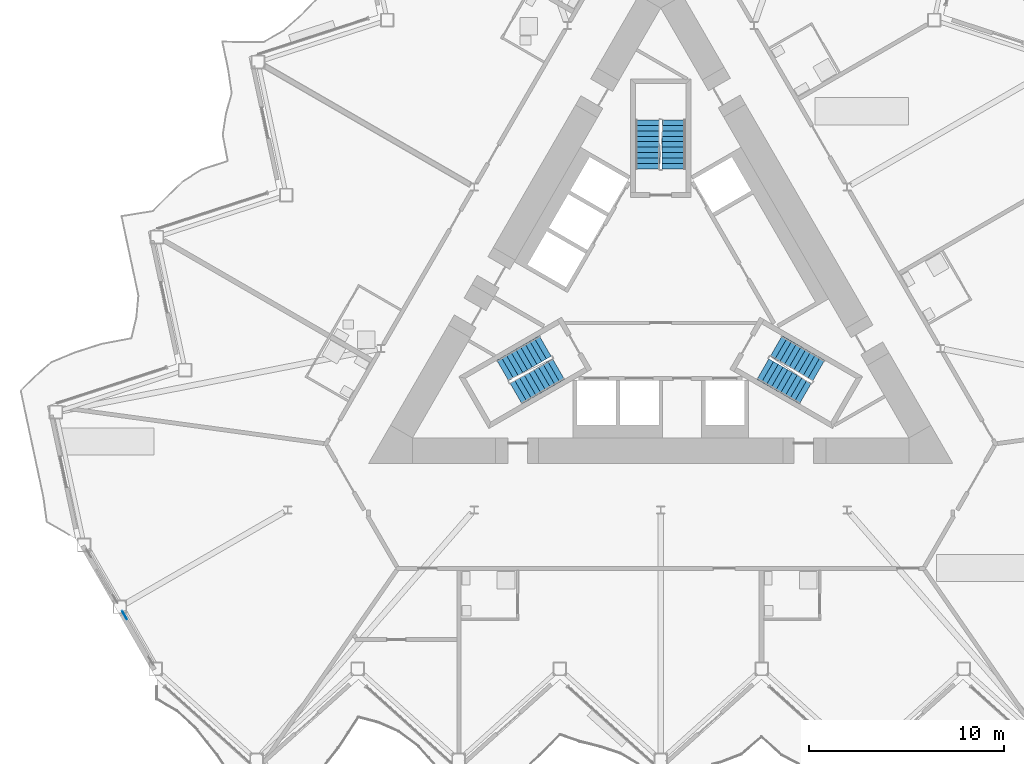
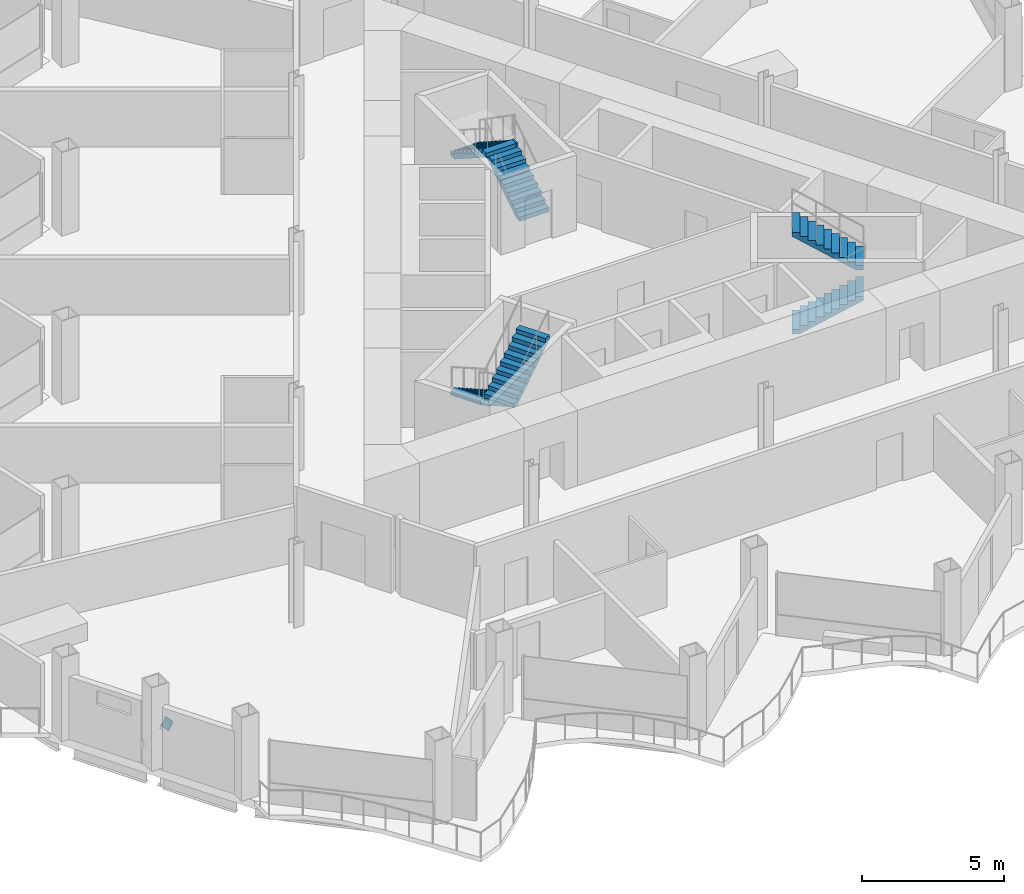
# One storey, part 15 of 23: 6 stair flights, 1 discrete accessory, 3 elements without a shape of their own.
"""IFC4 building model written with IfcOpenShell, lengths in metres."""

from ifc_helpers import new_model, si_unit, direction, frame, origin, origin_2d, place, context, subcontext, project, spatial, polyline, rectangle, outline, extrude, material, material_profile, profile_set, type_object, element, aggregate, save


model = new_model("IFC4")

# Units and contexts
model_context = context("Model", 3, precision=1e-05, world=origin(), true_north=direction((0.0, 1.0)))
body_context = subcontext(model_context, "Body", "Model", "MODEL_VIEW")
ifc_project = project(units=[si_unit("LENGTHUNIT", "METRE"), si_unit("AREAUNIT", "SQUARE_METRE"), si_unit("VOLUMEUNIT", "CUBIC_METRE"), si_unit("PLANEANGLEUNIT", "RADIAN"), si_unit("MASSUNIT", "GRAM", prefix="KILO")], contexts=[model_context])

# Site, building, storey
site_placement = place(None, origin())
site = spatial("IfcSite", under=ifc_project, at=site_placement, CompositionType="ELEMENT")
building_placement = place(site_placement, origin())
building = spatial("IfcBuilding", under=site, at=building_placement, Name="Cormorant Prow Tower", CompositionType="ELEMENT")
storey_placement = place(building_placement, frame((0.0, 0.0, 245.39990234375)))
storey = spatial("IfcBuildingStorey", under=building, at=storey_placement, Name="L54", CompositionType="ELEMENT", Elevation=245.39990234375)

# Stair, stair flights
ifc_material_1 = material(Name="Exit stair 20 risers")
stair_type = type_object("IfcStairType", Name="Exit stair 20 risers", PredefinedType="HALF_TURN_STAIR", material=ifc_material_1)
stair_1_placement = place(storey_placement, origin())
stair_1 = element("IfcStair", 1, at=stair_1_placement, inside=storey, type_object=stair_type, Name="L54 Exit stair ST1", PredefinedType="HALF_TURN_STAIR")
ifc_material_2 = material(Name="Concrete 5000 psi", Category="concrete")
stair_flight_type = type_object("IfcStairFlightType", Name="Stair flight 1219", PredefinedType="STRAIGHT", material=ifc_material_2)
stair_flight_1_placement = place(storey_placement, frame((-5.93310546875, -2.635009765625, 0.0), z_axis=(0.0, 0.0, 1.0), x_axis=(-0.866025403784, -0.5, 0.0)))
stair_flight_1 = element("IfcStairFlight", 2, at=stair_flight_1_placement, type_object=stair_flight_type, Name="ST1 flight 1", NumberOfRisers=10, NumberOfTreads=9, PredefinedType="STRAIGHT", RiserHeight=0.18, TreadLength=0.28, context=body_context, shape_type="SweptSolid", body=[
    extrude(outline(polyline([(0.0, 0.0), (0.0, 0.179931640625), (0.280029296875, 0.179931640625), (0.280029296875, 0.360107421875), (0.56005859375, 0.360107421875), (0.56005859375, 0.5400390625), (0.840087890625, 0.5400390625), (0.840087890625, 0.719970703125), (1.1201171875, 0.719970703125), (1.1201171875, 0.89990234375), (1.39990234375, 0.89990234375), (1.39990234375, 1.080078125), (1.679931640625, 1.080078125), (1.679931640625, 1.260009765625), (1.9599609375, 1.260009765625), (1.9599609375, 1.43994140625), (2.239990234375, 1.43994140625), (2.239990234375, 1.6201171875), (2.52001953125, 1.6201171875), (2.52001953125, 1.800048828125), (2.52001953125, 1.44189453125), (0.277099609375, 0.0), (0.0, 0.0)])), frame((0.0, 0.609375, 0.0), z_axis=(0.0, -1.0, 0.0), x_axis=(1.0, 0.0, 0.0)), (0.0, 0.0, 1.0), 1.218994140625),
])
stair_flight_2_placement = place(storey_placement, frame((-7.43115234375, -5.080810546875, 1.800048828125), z_axis=(0.0, 0.0, 1.0), x_axis=(0.866025403784, 0.5, 0.0)))
stair_flight_2 = element("IfcStairFlight", 3, at=stair_flight_2_placement, type_object=stair_flight_type, Name="ST1 flight 2", NumberOfRisers=10, NumberOfTreads=9, PredefinedType="STRAIGHT", RiserHeight=0.18, TreadLength=0.28, context=body_context, shape_type="SweptSolid", body=[
    extrude(outline(polyline([(0.0, 0.0), (0.0, 0.179931640625), (0.280029296875, 0.179931640625), (0.280029296875, 0.360107421875), (0.56005859375, 0.360107421875), (0.56005859375, 0.5400390625), (0.840087890625, 0.5400390625), (0.840087890625, 0.719970703125), (1.1201171875, 0.719970703125), (1.1201171875, 0.89990234375), (1.39990234375, 0.89990234375), (1.39990234375, 1.080078125), (1.679931640625, 1.080078125), (1.679931640625, 1.260009765625), (1.9599609375, 1.260009765625), (1.9599609375, 1.43994140625), (2.239990234375, 1.43994140625), (2.239990234375, 1.6201171875), (2.52001953125, 1.6201171875), (2.52001953125, 1.800048828125), (2.52001953125, 1.44189453125), (0.277099609375, 0.0), (0.0, 0.0)])), frame((0.0, 0.609375, 0.0), z_axis=(0.0, -1.0, 0.0), x_axis=(1.0, 0.0, 0.0)), (0.0, 0.0, 1.0), 1.218994140625),
])
aggregate(stair_1, [stair_flight_1, stair_flight_2])

stair_2_placement = place(storey_placement, origin())
stair_2 = element("IfcStair", 4, at=stair_2_placement, inside=storey, type_object=stair_type, Name="L54 Exit stair ST2", PredefinedType="HALF_TURN_STAIR")
stair_flight_3_placement = place(storey_placement, frame((5.24853515625, -3.82080078125, 0.0), z_axis=(0.0, 0.0, 1.0), x_axis=(0.866025403784, -0.5, 0.0)))
stair_flight_3 = element("IfcStairFlight", 5, at=stair_flight_3_placement, type_object=stair_flight_type, Name="ST2 flight 1", NumberOfRisers=10, NumberOfTreads=9, PredefinedType="STRAIGHT", RiserHeight=0.18, TreadLength=0.28, context=body_context, shape_type="SweptSolid", body=[
    extrude(outline(polyline([(0.0, 0.0), (0.0, 0.179931640625), (0.280029296875, 0.179931640625), (0.280029296875, 0.360107421875), (0.56005859375, 0.360107421875), (0.56005859375, 0.5400390625), (0.840087890625, 0.5400390625), (0.840087890625, 0.719970703125), (1.1201171875, 0.719970703125), (1.1201171875, 0.89990234375), (1.39990234375, 0.89990234375), (1.39990234375, 1.080078125), (1.679931640625, 1.080078125), (1.679931640625, 1.260009765625), (1.9599609375, 1.260009765625), (1.9599609375, 1.43994140625), (2.239990234375, 1.43994140625), (2.239990234375, 1.6201171875), (2.52001953125, 1.6201171875), (2.52001953125, 1.800048828125), (2.52001953125, 1.44189453125), (0.277099609375, 0.0), (0.0, 0.0)])), frame((0.0, 0.609375, 0.0), z_axis=(0.0, -1.0, 0.0), x_axis=(1.0, 0.0, 0.0)), (0.0, 0.0, 1.0), 1.218994140625),
])
stair_flight_4_placement = place(storey_placement, frame((8.115478515625, -3.89501953125, 1.800048828125), z_axis=(0.0, 0.0, 1.0), x_axis=(-0.866025403784, 0.5, 0.0)))
stair_flight_4 = element("IfcStairFlight", 6, at=stair_flight_4_placement, type_object=stair_flight_type, Name="ST2 flight 2", NumberOfRisers=10, NumberOfTreads=9, PredefinedType="STRAIGHT", RiserHeight=0.18, TreadLength=0.28, context=body_context, shape_type="SweptSolid", body=[
    extrude(outline(polyline([(0.0, 0.0), (0.0, 0.179931640625), (0.280029296875, 0.179931640625), (0.280029296875, 0.360107421875), (0.56005859375, 0.360107421875), (0.56005859375, 0.5400390625), (0.840087890625, 0.5400390625), (0.840087890625, 0.719970703125), (1.1201171875, 0.719970703125), (1.1201171875, 0.89990234375), (1.39990234375, 0.89990234375), (1.39990234375, 1.080078125), (1.679931640625, 1.080078125), (1.679931640625, 1.260009765625), (1.9599609375, 1.260009765625), (1.9599609375, 1.43994140625), (2.239990234375, 1.43994140625), (2.239990234375, 1.6201171875), (2.52001953125, 1.6201171875), (2.52001953125, 1.800048828125), (2.52001953125, 1.44189453125), (0.277099609375, 0.0), (0.0, 0.0)])), frame((0.0, 0.609375, 0.0), z_axis=(0.0, -1.0, 0.0), x_axis=(1.0, 0.0, 0.0)), (0.0, 0.0, 1.0), 1.218994140625),
])
aggregate(stair_2, [stair_flight_3, stair_flight_4])

stair_3_placement = place(storey_placement, origin())
stair_3 = element("IfcStair", 7, at=stair_3_placement, inside=storey, type_object=stair_type, Name="L54 Exit stair ST3", PredefinedType="HALF_TURN_STAIR")
stair_flight_5_placement = place(storey_placement, frame((0.6845703125, 6.455810546875, 0.0), z_axis=(0.0, 0.0, 1.0), x_axis=(0.0, 1.0, 0.0)))
stair_flight_5 = element("IfcStairFlight", 8, at=stair_flight_5_placement, type_object=stair_flight_type, Name="ST3 flight 1", NumberOfRisers=10, NumberOfTreads=9, PredefinedType="STRAIGHT", RiserHeight=0.18, TreadLength=0.28, context=body_context, shape_type="SweptSolid", body=[
    extrude(outline(polyline([(0.0, 0.0), (0.0, 0.179931640625), (0.280029296875, 0.179931640625), (0.280029296875, 0.360107421875), (0.56005859375, 0.360107421875), (0.56005859375, 0.5400390625), (0.840087890625, 0.5400390625), (0.840087890625, 0.719970703125), (1.1201171875, 0.719970703125), (1.1201171875, 0.89990234375), (1.39990234375, 0.89990234375), (1.39990234375, 1.080078125), (1.679931640625, 1.080078125), (1.679931640625, 1.260009765625), (1.9599609375, 1.260009765625), (1.9599609375, 1.43994140625), (2.239990234375, 1.43994140625), (2.239990234375, 1.6201171875), (2.52001953125, 1.6201171875), (2.52001953125, 1.800048828125), (2.52001953125, 1.44189453125), (0.277099609375, 0.0), (0.0, 0.0)])), frame((0.0, 0.609375, 0.0), z_axis=(0.0, -1.0, 0.0), x_axis=(1.0, 0.0, 0.0)), (0.0, 0.0, 1.0), 1.218994140625),
])
stair_flight_6_placement = place(storey_placement, frame((-0.6845703125, 8.975830078125, 1.800048828125), z_axis=(0.0, 0.0, 1.0), x_axis=(0.0, -1.0, 0.0)))
stair_flight_6 = element("IfcStairFlight", 9, at=stair_flight_6_placement, type_object=stair_flight_type, Name="ST3 flight 2", NumberOfRisers=10, NumberOfTreads=9, PredefinedType="STRAIGHT", RiserHeight=0.18, TreadLength=0.28, context=body_context, shape_type="SweptSolid", body=[
    extrude(outline(polyline([(0.0, 0.0), (0.0, 0.179931640625), (0.280029296875, 0.179931640625), (0.280029296875, 0.360107421875), (0.56005859375, 0.360107421875), (0.56005859375, 0.5400390625), (0.840087890625, 0.5400390625), (0.840087890625, 0.719970703125), (1.1201171875, 0.719970703125), (1.1201171875, 0.89990234375), (1.39990234375, 0.89990234375), (1.39990234375, 1.080078125), (1.679931640625, 1.080078125), (1.679931640625, 1.260009765625), (1.9599609375, 1.260009765625), (1.9599609375, 1.43994140625), (2.239990234375, 1.43994140625), (2.239990234375, 1.6201171875), (2.52001953125, 1.6201171875), (2.52001953125, 1.800048828125), (2.52001953125, 1.44189453125), (0.277099609375, 0.0), (0.0, 0.0)])), frame((0.0, 0.609375, 0.0), z_axis=(0.0, -1.0, 0.0), x_axis=(1.0, 0.0, 0.0)), (0.0, 0.0, 1.0), 1.218994140625),
])
aggregate(stair_3, [stair_flight_5, stair_flight_6])

# Discrete accessory
ifc_material_3 = material(Name="Structural steel ASTM A500 Gr C", Category="steel")
ifc_material_profile = material_profile(ifc_material_3, rectangle(XDim=0.031982421875, YDim=0.506103515625, at=origin_2d()), Name="Gusset plate 32x506")
ifc_profile_set = profile_set([ifc_material_profile], Name="Structural steel ASTM A500 Gr C")
discrete_accessory_type = type_object("IfcDiscreteAccessoryType", Name="Gusset plate 32x506", PredefinedType="BRACKET", material=ifc_profile_set)
discrete_accessory_placement = place(storey_placement, frame((-27.454833984375, -16.59375, 1.837890625), z_axis=(-0.462538490196, 0.801593854051, 0.378821116405), x_axis=(-0.866147934042, -0.499787711288, 0.0)))
element("IfcDiscreteAccessory", 10, at=discrete_accessory_placement, inside=storey, type_object=discrete_accessory_type, Name="Gusset plate GP2 L54.WSW01.g1", PredefinedType="BRACKET", context=body_context, shape_type="SweptSolid", body=[
    extrude(rectangle(XDim=0.031982421875, YDim=0.506103515625, at=origin_2d()), origin(), (0.0, 0.0, 1.0), 0.349853515625),
])

save(model, "model.ifc")
